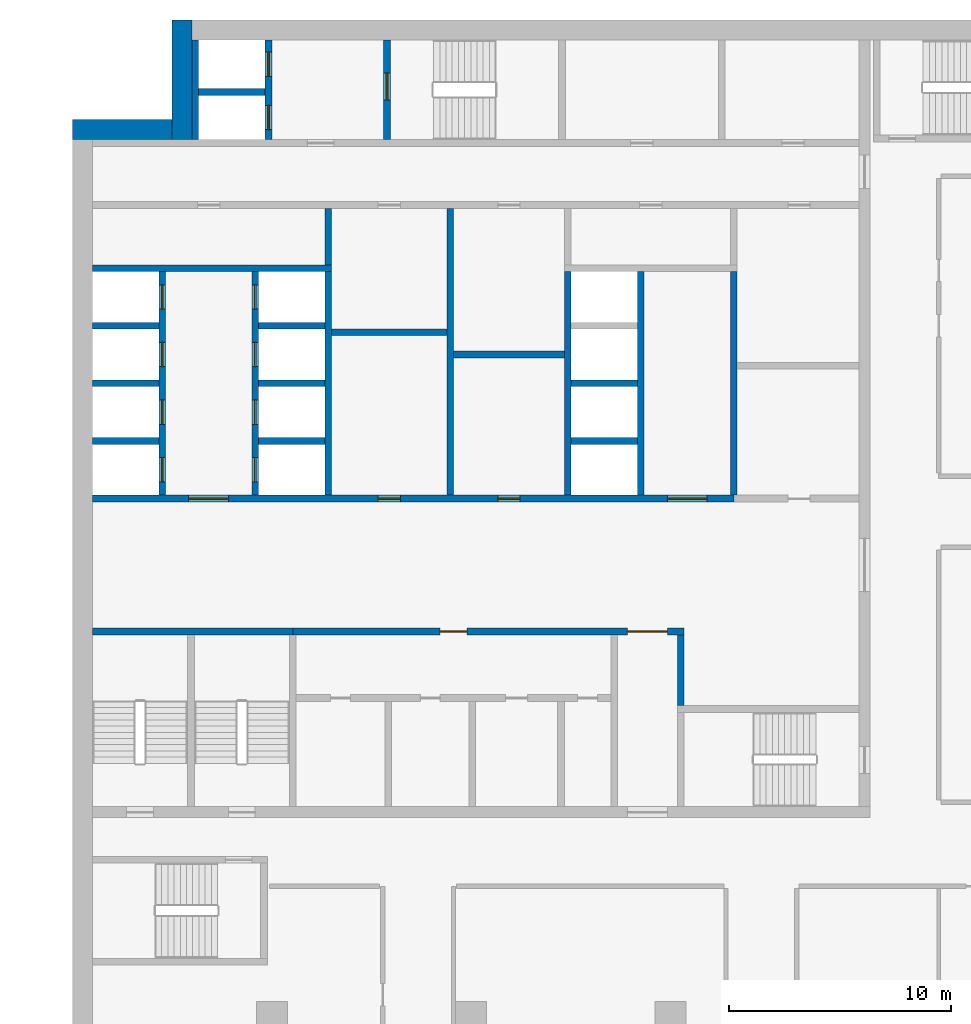
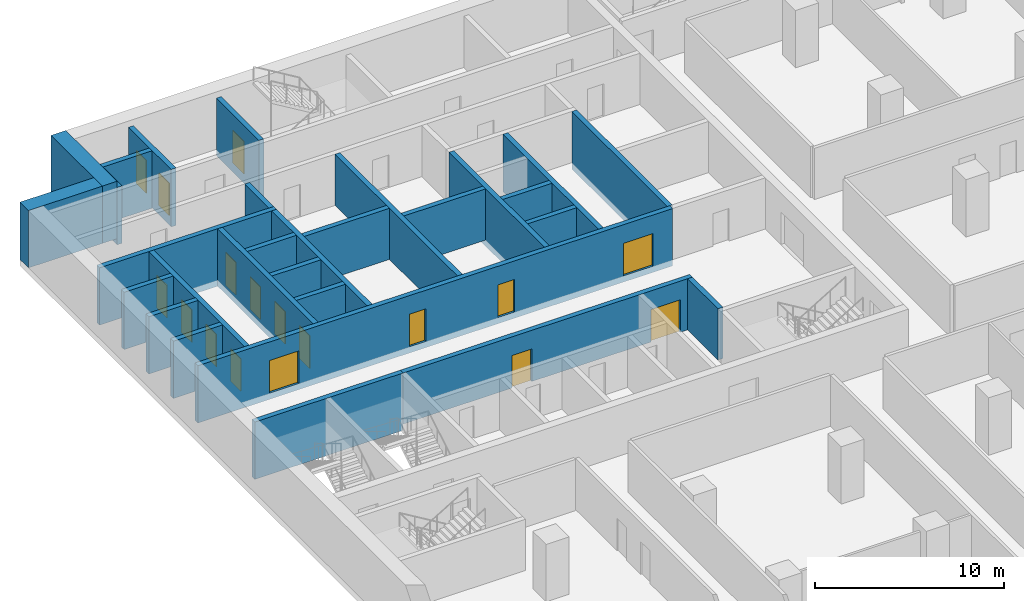
# One storey, part 15 of 29: 29 walls, 17 doors, 17 openings.
"""IFC4 building model written with IfcOpenShell, lengths in metres."""

from ifc_helpers import new_model, si_unit, direction, frame, frame_2d, origin, place, context, subcontext, project, spatial, rectangle, extrude, material, layer, layer_set, type_object, element, fill, save


model = new_model("IFC4")

# Units and contexts
model_context = context("Model", 3, precision=1e-05, world=origin(), true_north=direction((0.0, 1.0)))
body_context = subcontext(model_context, "Body", "Model", "MODEL_VIEW")
ifc_project = project(units=[si_unit("LENGTHUNIT", "METRE"), si_unit("AREAUNIT", "SQUARE_METRE"), si_unit("VOLUMEUNIT", "CUBIC_METRE"), si_unit("PLANEANGLEUNIT", "RADIAN"), si_unit("MASSUNIT", "GRAM", prefix="KILO")], contexts=[model_context])

# Site, building, storey
site_placement = place(None, origin())
site = spatial("IfcSite", under=ifc_project, at=site_placement, CompositionType="ELEMENT")
building_placement = place(site_placement, origin())
building = spatial("IfcBuilding", under=site, at=building_placement, Name="Hunhe Ridgeline Campus", CompositionType="ELEMENT")
storey_placement = place(building_placement, frame((0.0, 0.0, 69.10009765625)))
storey = spatial("IfcBuildingStorey", under=building, at=storey_placement, Name="L16", CompositionType="ELEMENT", Elevation=69.10009765625)

# Wall, openings, doors
ifc_material_1 = material(Name="Masonry concrete blockwork", Category="masonry")
ifc_layer_1 = layer(ifc_material_1, 0.300048828125)
ifc_layer_set_1 = layer_set([ifc_layer_1], Name="Core room partition 300 concrete block")
wall_type_1 = type_object("IfcWallType", Name="Core room partition 300 concrete block", PredefinedType="PARTITIONING", material=ifc_layer_set_1)
wall_1_placement = place(storey_placement, frame((9.949951171875, 71.39990234375, 0.0), z_axis=(0.0, 0.0, 1.0), x_axis=(1.0, 0.0, 0.0)))
wall_1 = element("IfcWall", 1, at=wall_1_placement, inside=storey, type_object=wall_type_1, Name="L16 core partition 13", PredefinedType="PARTITIONING", context=body_context, shape_type="SweptSolid", body=[
    extrude(rectangle(XDim=17.650146484375, YDim=0.300048828125, at=frame_2d((8.8251953125, 0.0))), origin(), (0.0, 0.0, 1.0), 3.2998046875),
])
opening_1_placement = place(wall_1_placement, frame((15.10009765625, 0.0, 0.0)))
opening_1 = element("IfcOpeningElement", 2, at=opening_1_placement, cuts=wall_1, Name="Opening CD7", PredefinedType="OPENING", context=body_context, shape_type="SweptSolid", body=[
    extrude(rectangle(XDim=1.800048828125, YDim=2.10009765625, at=frame_2d((0.89990234375, 1.050048828125))), frame((0.0, 0.14990234375, 0.0), z_axis=(0.0, -1.0, 0.0), x_axis=(1.0, 0.0, 0.0)), (0.0, 0.0, 1.0), 0.300048828125),
])
opening_2_placement = place(wall_1_placement, frame((6.64990234375, 0.0, 0.0)))
opening_2 = element("IfcOpeningElement", 3, at=opening_2_placement, cuts=wall_1, Name="Opening CD37", PredefinedType="OPENING", context=body_context, shape_type="SweptSolid", body=[
    extrude(rectangle(XDim=1.199951171875, YDim=2.10009765625, at=frame_2d((0.60009765625, 1.050048828125))), frame((0.0, 0.14990234375, 0.0), z_axis=(0.0, -1.0, 0.0), x_axis=(1.0, 0.0, 0.0)), (0.0, 0.0, 1.0), 0.300048828125),
])
ifc_material_2 = material(Name="Anodised aluminium and glass", Category="aluminium")
door_type_1 = type_object("IfcDoorType", Name="Glazed double door 1800x2100", OperationType="DOUBLE_DOOR_SINGLE_SWING", PredefinedType="DOOR", material=ifc_material_2)
door_1_placement = place(opening_1_placement, origin())
door_1 = element("IfcDoor", 4, at=door_1_placement, inside=storey, type_object=door_type_1, Name="L16 door VEST-HALL", OperationType="DOUBLE_DOOR_SINGLE_SWING", OverallHeight=2.10009765625, OverallWidth=1.800048828125, PredefinedType="DOOR", context=body_context, shape_type="SweptSolid", body=[
    extrude(rectangle(XDim=1.800048828125, YDim=2.10009765625, at=frame_2d((0.89990234375, 1.050048828125))), frame((0.0, 0.02490234375, 0.0), z_axis=(0.0, -1.0, 0.0), x_axis=(1.0, 0.0, 0.0)), (0.0, 0.0, 1.0), 0.050048828125),
])
fill(opening_1, door_1)
ifc_material_3 = material(Name="Solid core timber door leaf", Category="wood")
door_type_2 = type_object("IfcDoorType", Name="Timber door 1200x2100", OperationType="SINGLE_SWING_LEFT", PredefinedType="DOOR", material=ifc_material_3)
door_2_placement = place(opening_2_placement, origin())
door_2 = element("IfcDoor", 5, at=door_2_placement, inside=storey, type_object=door_type_2, Name="L16 door WCL1-HALL", OperationType="SINGLE_SWING_LEFT", OverallHeight=2.10009765625, OverallWidth=1.199951171875, PredefinedType="DOOR", context=body_context, shape_type="SweptSolid", body=[
    extrude(rectangle(XDim=1.199951171875, YDim=2.10009765625, at=frame_2d((0.60009765625, 1.050048828125))), frame((0.0, 0.02490234375, 0.0), z_axis=(0.0, -1.0, 0.0), x_axis=(1.0, 0.0, 0.0)), (0.0, 0.0, 1.0), 0.050048828125),
])
fill(opening_2, door_2)

# Walls
wall_2_placement = place(storey_placement, frame((17.199951171875, 83.89990234375, 0.0), z_axis=(0.0, 0.0, 1.0), x_axis=(1.0, 0.0, 0.0)))
element("IfcWall", 6, at=wall_2_placement, inside=storey, type_object=wall_type_1, Name="L16 core partition 23", PredefinedType="PARTITIONING", context=body_context, shape_type="SweptSolid", body=[
    extrude(rectangle(XDim=5.0, YDim=0.300048828125, at=frame_2d((2.5, 0.0))), origin(), (0.0, 0.0, 1.0), 3.2998046875),
])
wall_3_placement = place(storey_placement, frame((11.699951171875, 84.89990234375, 0.0), z_axis=(0.0, 0.0, 1.0), x_axis=(1.0, 0.0, 0.0)))
element("IfcWall", 7, at=wall_3_placement, inside=storey, type_object=wall_type_1, Name="L16 core partition 24", PredefinedType="PARTITIONING", context=body_context, shape_type="SweptSolid", body=[
    extrude(rectangle(XDim=5.199951171875, YDim=0.300048828125, at=frame_2d((2.60009765625, 0.0))), origin(), (0.0, 0.0, 1.0), 3.2998046875),
])
wall_4_placement = place(storey_placement, frame((11.550048828125, 87.949951171875, 0.0), z_axis=(0.0, 0.0, 1.0), x_axis=(0.0, 1.0, 0.0)))
element("IfcWall", 8, at=wall_4_placement, inside=storey, type_object=wall_type_1, Name="L16 core partition 46", PredefinedType="PARTITIONING", context=body_context, shape_type="SweptSolid", body=[
    extrude(rectangle(XDim=2.550048828125, YDim=0.300048828125, at=frame_2d((1.27490234375, 0.0))), origin(), (0.0, 0.0, 1.0), 3.2998046875),
])
wall_5_placement = place(storey_placement, frame((17.050048828125, 77.550048828125, 0.0), z_axis=(0.0, 0.0, 1.0), x_axis=(0.0, 1.0, 0.0)))
element("IfcWall", 9, at=wall_5_placement, inside=storey, type_object=wall_type_1, Name="L16 core partition 49", PredefinedType="PARTITIONING", context=body_context, shape_type="SweptSolid", body=[
    extrude(rectangle(XDim=12.949951171875, YDim=0.300048828125, at=frame_2d((6.47509765625, 0.0))), origin(), (0.0, 0.0, 1.0), 3.2998046875),
])
wall_6_placement = place(storey_placement, frame((27.449951171875, 68.050048828125, 0.0), z_axis=(0.0, 0.0, 1.0), x_axis=(0.0, 1.0, 0.0)))
element("IfcWall", 10, at=wall_6_placement, inside=storey, type_object=wall_type_1, Name="L16 core partition 60", PredefinedType="PARTITIONING", context=body_context, shape_type="SweptSolid", body=[
    extrude(rectangle(XDim=3.199951171875, YDim=0.300048828125, at=frame_2d((1.60009765625, 0.0))), origin(), (0.0, 0.0, 1.0), 3.2998046875),
])
ifc_material_4 = material(Name="Concrete C80", Category="concrete")
ifc_layer_2 = layer(ifc_material_4, 0.300048828125)
ifc_layer_set_2 = layer_set([ifc_layer_2], Name="Lobby wall 300 reinforced concrete C80")
wall_type_2 = type_object("IfcWallType", Name="Lobby wall 300 reinforced concrete C80", PredefinedType="SOLIDWALL", material=ifc_layer_set_2)
wall_7_placement = place(storey_placement, frame((29.85009765625, 77.550048828125, -0.400146484375), z_axis=(0.0, 0.0, 1.0), x_axis=(0.0, 1.0, 0.0)))
element("IfcWall", 11, at=wall_7_placement, inside=storey, type_object=wall_type_2, Name="L16 core wall 62", PredefinedType="SOLIDWALL", context=body_context, shape_type="SweptSolid", body=[
    extrude(rectangle(XDim=10.099853515625, YDim=0.300048828125, at=frame_2d((5.0498046875, 0.0))), origin(), (0.0, 0.0, 1.0), 3.699951171875),
])

# Wall, openings, doors
ifc_layer_3 = layer(ifc_material_4, 0.300048828125)
ifc_layer_set_3 = layer_set([ifc_layer_3], Name="Shaft wall 300 reinforced concrete C80")
wall_type_3 = type_object("IfcWallType", Name="Shaft wall 300 reinforced concrete C80", PredefinedType="SOLIDWALL", material=ifc_layer_set_3)
wall_8_placement = place(storey_placement, frame((0.89990234375, 77.39990234375, -0.400146484375), z_axis=(0.0, 0.0, 1.0), x_axis=(1.0, 0.0, 0.0)))
wall_8 = element("IfcWall", 12, at=wall_8_placement, inside=storey, type_object=wall_type_3, Name="L16 core wall 14", PredefinedType="SOLIDWALL", context=body_context, shape_type="SweptSolid", body=[
    extrude(rectangle(XDim=28.9501953125, YDim=0.300048828125, at=frame_2d((14.47509765625, 0.0))), origin(), (0.0, 0.0, 1.0), 3.699951171875),
])
opening_3_placement = place(wall_8_placement, frame((4.35009765625, 0.0, 0.39990234375)))
opening_3 = element("IfcOpeningElement", 13, at=opening_3_placement, cuts=wall_8, Name="Opening CD1", PredefinedType="OPENING", context=body_context, shape_type="SweptSolid", body=[
    extrude(rectangle(XDim=1.800048828125, YDim=2.10009765625, at=frame_2d((0.89990234375, 1.050048828125))), frame((0.0, 0.14990234375, 0.0), z_axis=(0.0, -1.0, 0.0), x_axis=(1.0, 0.0, 0.0)), (0.0, 0.0, 1.0), 0.300048828125),
])
opening_4_placement = place(wall_8_placement, frame((25.949951171875, 0.0, 0.39990234375)))
opening_4 = element("IfcOpeningElement", 14, at=opening_4_placement, cuts=wall_8, Name="Opening CD2", PredefinedType="OPENING", context=body_context, shape_type="SweptSolid", body=[
    extrude(rectangle(XDim=1.800048828125, YDim=2.10009765625, at=frame_2d((0.89990234375, 1.050048828125))), frame((0.0, 0.14990234375, 0.0), z_axis=(0.0, -1.0, 0.0), x_axis=(1.0, 0.0, 0.0)), (0.0, 0.0, 1.0), 0.300048828125),
])
opening_5_placement = place(wall_8_placement, frame((12.89990234375, 0.0, 0.39990234375)))
opening_5 = element("IfcOpeningElement", 15, at=opening_5_placement, cuts=wall_8, Name="Opening CD28", PredefinedType="OPENING", context=body_context, shape_type="SweptSolid", body=[
    extrude(rectangle(XDim=1.0, YDim=2.10009765625, at=frame_2d((0.5, 1.050048828125))), frame((0.0, 0.14990234375, 0.0), z_axis=(0.0, -1.0, 0.0), x_axis=(1.0, 0.0, 0.0)), (0.0, 0.0, 1.0), 0.300048828125),
])
opening_6_placement = place(wall_8_placement, frame((18.300048828125, 0.0, 0.39990234375)))
opening_6 = element("IfcOpeningElement", 16, at=opening_6_placement, cuts=wall_8, Name="Opening CD30", PredefinedType="OPENING", context=body_context, shape_type="SweptSolid", body=[
    extrude(rectangle(XDim=1.0, YDim=2.10009765625, at=frame_2d((0.5, 1.050048828125))), frame((0.0, 0.14990234375, 0.0), z_axis=(0.0, -1.0, 0.0), x_axis=(1.0, 0.0, 0.0)), (0.0, 0.0, 1.0), 0.300048828125),
])
ifc_material_5 = material(Name="Hollow metal fire door leaf")
door_type_3 = type_object("IfcDoorType", Name="Lobby door 1800x2100 FD60", OperationType="SINGLE_SWING_LEFT", PredefinedType="DOOR", material=ifc_material_5)
door_3_placement = place(opening_3_placement, frame((1.800048828125, 0.0, 0.0), z_axis=(0.0, 0.0, 1.0), x_axis=(-1.0, 0.0, 0.0)))
door_3 = element("IfcDoor", 17, at=door_3_placement, inside=storey, type_object=door_type_3, Name="L16 door LOB-LR", OperationType="SINGLE_SWING_RIGHT", OverallHeight=2.10009765625, OverallWidth=1.800048828125, PredefinedType="DOOR", context=body_context, shape_type="SweptSolid", body=[
    extrude(rectangle(XDim=1.800048828125, YDim=2.10009765625, at=frame_2d((0.89990234375, 1.050048828125))), frame((0.0, 0.02490234375, 0.0), z_axis=(0.0, -1.0, 0.0), x_axis=(1.0, 0.0, 0.0)), (0.0, 0.0, 1.0), 0.050048828125),
])
fill(opening_3, door_3)
door_4_placement = place(opening_4_placement, frame((1.800048828125, 0.0, 0.0), z_axis=(0.0, 0.0, 1.0), x_axis=(-1.0, 0.0, 0.0)))
door_4 = element("IfcDoor", 18, at=door_4_placement, inside=storey, type_object=door_type_3, Name="L16 door LOB-SH", OperationType="SINGLE_SWING_LEFT", OverallHeight=2.10009765625, OverallWidth=1.800048828125, PredefinedType="DOOR", context=body_context, shape_type="SweptSolid", body=[
    extrude(rectangle(XDim=1.800048828125, YDim=2.10009765625, at=frame_2d((0.89990234375, 1.050048828125))), frame((0.0, 0.02490234375, 0.0), z_axis=(0.0, -1.0, 0.0), x_axis=(1.0, 0.0, 0.0)), (0.0, 0.0, 1.0), 0.050048828125),
])
fill(opening_4, door_4)
door_type_4 = type_object("IfcDoorType", Name="Timber door 1000x2100", OperationType="SINGLE_SWING_LEFT", PredefinedType="DOOR", material=ifc_material_3)
door_5_placement = place(opening_5_placement, origin())
door_5 = element("IfcDoor", 19, at=door_5_placement, inside=storey, type_object=door_type_4, Name="L16 door VD-HR0", OperationType="SINGLE_SWING_LEFT", OverallHeight=2.10009765625, OverallWidth=1.0, PredefinedType="DOOR", context=body_context, shape_type="SweptSolid", body=[
    extrude(rectangle(XDim=1.0, YDim=2.10009765625, at=frame_2d((0.5, 1.050048828125))), frame((0.0, 0.02490234375, 0.0), z_axis=(0.0, -1.0, 0.0), x_axis=(1.0, 0.0, 0.0)), (0.0, 0.0, 1.0), 0.050048828125),
])
fill(opening_5, door_5)
door_6_placement = place(opening_6_placement, origin())
door_6 = element("IfcDoor", 20, at=door_6_placement, inside=storey, type_object=door_type_4, Name="L16 door VD-HR2", OperationType="SINGLE_SWING_LEFT", OverallHeight=2.10009765625, OverallWidth=1.0, PredefinedType="DOOR", context=body_context, shape_type="SweptSolid", body=[
    extrude(rectangle(XDim=1.0, YDim=2.10009765625, at=frame_2d((0.5, 1.050048828125))), frame((0.0, 0.02490234375, 0.0), z_axis=(0.0, -1.0, 0.0), x_axis=(1.0, 0.0, 0.0)), (0.0, 0.0, 1.0), 0.050048828125),
])
fill(opening_6, door_6)

# Walls
for number, where, z_axis, x_axis, name in (
    (21, (0.89990234375, 80.0, -0.400146484375), (0.0, 0.0, 1.0), (1.0, 0.0, 0.0), "L16 core wall 16"),
    (22, (8.39990234375, 80.0, -0.400146484375), (0.0, 0.0, 1.0), (1.0, 0.0, 0.0), "L16 core wall 17"),
    (23, (22.5, 80.0, -0.400146484375), (0.0, 0.0, 1.0), (1.0, 0.0, 0.0), "L16 core wall 18"),
    (24, (0.89990234375, 82.60009765625, -0.400146484375), (0.0, 0.0, 1.0), (1.0, 0.0, 0.0), "L16 core wall 19"),
    (25, (8.39990234375, 82.60009765625, -0.400146484375), (0.0, 0.0, 1.0), (1.0, 0.0, 0.0), "L16 core wall 20"),
    (26, (22.5, 82.60009765625, -0.400146484375), (0.0, 0.0, 1.0), (1.0, 0.0, 0.0), "L16 core wall 21"),
    (27, (0.89990234375, 85.199951171875, -0.400146484375), (0.0, 0.0, 1.0), (1.0, 0.0, 0.0), "L16 core wall 25"),
    (28, (8.39990234375, 85.199951171875, -0.400146484375), (0.0, 0.0, 1.0), (1.0, 0.0, 0.0), "L16 core wall 26"),
):
    element("IfcWall", number, at=place(storey_placement, frame(where, z_axis=z_axis, x_axis=x_axis)), inside=storey, type_object=wall_type_3, Name=name, PredefinedType="SOLIDWALL", context=body_context, shape_type="SweptSolid", body=[
        extrude(rectangle(XDim=3.0, YDim=0.300048828125, at=frame_2d((1.5, 0.0))), origin(), (0.0, 0.0, 1.0), 3.699951171875),
    ])
wall_9_placement = place(storey_placement, frame((0.89990234375, 87.800048828125, -0.400146484375), z_axis=(0.0, 0.0, 1.0), x_axis=(1.0, 0.0, 0.0)))
element("IfcWall", 29, at=wall_9_placement, inside=storey, type_object=wall_type_3, Name="L16 core wall 28", PredefinedType="SOLIDWALL", context=body_context, shape_type="SweptSolid", body=[
    extrude(rectangle(XDim=10.800048828125, YDim=0.300048828125, at=frame_2d((5.39990234375, 0.0))), origin(), (0.0, 0.0, 1.0), 3.699951171875),
])
wall_10_placement = place(storey_placement, frame((5.699951171875, 95.75, -0.400146484375), z_axis=(0.0, 0.0, 1.0), x_axis=(1.0, 0.0, 0.0)))
element("IfcWall", 30, at=wall_10_placement, inside=storey, type_object=wall_type_3, Name="L16 core wall 36", PredefinedType="SOLIDWALL", context=body_context, shape_type="SweptSolid", body=[
    extrude(rectangle(XDim=3.0, YDim=0.300048828125, at=frame_2d((1.5, 0.0))), origin(), (0.0, 0.0, 1.0), 3.699951171875),
])

# Wall, openings, doors
wall_11_placement = place(storey_placement, frame((4.050048828125, 77.550048828125, -0.400146484375), z_axis=(0.0, 0.0, 1.0), x_axis=(0.0, 1.0, 0.0)))
wall_11 = element("IfcWall", 31, at=wall_11_placement, inside=storey, type_object=wall_type_3, Name="L16 core wall 37", PredefinedType="SOLIDWALL", context=body_context, shape_type="SweptSolid", body=[
    extrude(rectangle(XDim=10.099853515625, YDim=0.300048828125, at=frame_2d((5.0498046875, 0.0))), origin(), (0.0, 0.0, 1.0), 3.699951171875),
])
opening_7_placement = place(wall_11_placement, frame((0.60009765625, 0.0, 0.39990234375)))
opening_7 = element("IfcOpeningElement", 32, at=opening_7_placement, cuts=wall_11, Name="Opening LD-LR1", PredefinedType="OPENING", context=body_context, shape_type="SweptSolid", body=[
    extrude(rectangle(XDim=1.10009765625, YDim=2.10009765625, at=frame_2d((0.550048828125, 1.050048828125))), frame((0.0, 0.14990234375, 0.0), z_axis=(0.0, -1.0, 0.0), x_axis=(1.0, 0.0, 0.0)), (0.0, 0.0, 1.0), 0.300048828125),
])
opening_8_placement = place(wall_11_placement, frame((3.199951171875, 0.0, 0.39990234375)))
opening_8 = element("IfcOpeningElement", 33, at=opening_8_placement, cuts=wall_11, Name="Opening LD-LR2", PredefinedType="OPENING", context=body_context, shape_type="SweptSolid", body=[
    extrude(rectangle(XDim=1.10009765625, YDim=2.10009765625, at=frame_2d((0.550048828125, 1.050048828125))), frame((0.0, 0.14990234375, 0.0), z_axis=(0.0, -1.0, 0.0), x_axis=(1.0, 0.0, 0.0)), (0.0, 0.0, 1.0), 0.300048828125),
])
opening_9_placement = place(wall_11_placement, frame((5.800048828125, 0.0, 0.39990234375)))
opening_9 = element("IfcOpeningElement", 34, at=opening_9_placement, cuts=wall_11, Name="Opening LD-LR3", PredefinedType="OPENING", context=body_context, shape_type="SweptSolid", body=[
    extrude(rectangle(XDim=1.10009765625, YDim=2.10009765625, at=frame_2d((0.550048828125, 1.050048828125))), frame((0.0, 0.14990234375, 0.0), z_axis=(0.0, -1.0, 0.0), x_axis=(1.0, 0.0, 0.0)), (0.0, 0.0, 1.0), 0.300048828125),
])
opening_10_placement = place(wall_11_placement, frame((8.39990234375, 0.0, 0.39990234375)))
opening_10 = element("IfcOpeningElement", 35, at=opening_10_placement, cuts=wall_11, Name="Opening LD-LR4", PredefinedType="OPENING", context=body_context, shape_type="SweptSolid", body=[
    extrude(rectangle(XDim=1.10009765625, YDim=2.10009765625, at=frame_2d((0.550048828125, 1.050048828125))), frame((0.0, 0.14990234375, 0.0), z_axis=(0.0, -1.0, 0.0), x_axis=(1.0, 0.0, 0.0)), (0.0, 0.0, 1.0), 0.300048828125),
])
ifc_material_6 = material(Name="Stainless steel sliding leaves", Category="steel")
door_type_5 = type_object("IfcDoorType", Name="Landing door 1100x2100 FD120", OperationType="SLIDING_TO_LEFT", PredefinedType="DOOR", material=ifc_material_6)
door_7_placement = place(opening_7_placement, origin())
door_7 = element("IfcDoor", 36, at=door_7_placement, inside=storey, type_object=door_type_5, Name="L16 landing door LR1", OperationType="SLIDING_TO_RIGHT", OverallHeight=2.10009765625, OverallWidth=1.10009765625, PredefinedType="DOOR", context=body_context, shape_type="SweptSolid", body=[
    extrude(rectangle(XDim=1.10009765625, YDim=2.10009765625, at=frame_2d((0.550048828125, 1.050048828125))), frame((0.0, 0.02490234375, 0.0), z_axis=(0.0, -1.0, 0.0), x_axis=(1.0, 0.0, 0.0)), (0.0, 0.0, 1.0), 0.050048828125),
])
fill(opening_7, door_7)
door_8_placement = place(opening_8_placement, origin())
door_8 = element("IfcDoor", 37, at=door_8_placement, inside=storey, type_object=door_type_5, Name="L16 landing door LR2", OperationType="SLIDING_TO_LEFT", OverallHeight=2.10009765625, OverallWidth=1.10009765625, PredefinedType="DOOR", context=body_context, shape_type="SweptSolid", body=[
    extrude(rectangle(XDim=1.10009765625, YDim=2.10009765625, at=frame_2d((0.550048828125, 1.050048828125))), frame((0.0, 0.02490234375, 0.0), z_axis=(0.0, -1.0, 0.0), x_axis=(1.0, 0.0, 0.0)), (0.0, 0.0, 1.0), 0.050048828125),
])
fill(opening_8, door_8)
door_9_placement = place(opening_9_placement, origin())
door_9 = element("IfcDoor", 38, at=door_9_placement, inside=storey, type_object=door_type_5, Name="L16 landing door LR3", OperationType="SLIDING_TO_RIGHT", OverallHeight=2.10009765625, OverallWidth=1.10009765625, PredefinedType="DOOR", context=body_context, shape_type="SweptSolid", body=[
    extrude(rectangle(XDim=1.10009765625, YDim=2.10009765625, at=frame_2d((0.550048828125, 1.050048828125))), frame((0.0, 0.02490234375, 0.0), z_axis=(0.0, -1.0, 0.0), x_axis=(1.0, 0.0, 0.0)), (0.0, 0.0, 1.0), 0.050048828125),
])
fill(opening_9, door_9)
door_10_placement = place(opening_10_placement, origin())
door_10 = element("IfcDoor", 39, at=door_10_placement, inside=storey, type_object=door_type_5, Name="L16 landing door LR4", OperationType="SLIDING_TO_LEFT", OverallHeight=2.10009765625, OverallWidth=1.10009765625, PredefinedType="DOOR", context=body_context, shape_type="SweptSolid", body=[
    extrude(rectangle(XDim=1.10009765625, YDim=2.10009765625, at=frame_2d((0.550048828125, 1.050048828125))), frame((0.0, 0.02490234375, 0.0), z_axis=(0.0, -1.0, 0.0), x_axis=(1.0, 0.0, 0.0)), (0.0, 0.0, 1.0), 0.050048828125),
])
fill(opening_10, door_10)

# Wall
wall_12_placement = place(storey_placement, frame((5.550048828125, 93.60009765625, -0.400146484375), z_axis=(0.0, 0.0, 1.0), x_axis=(0.0, 1.0, 0.0)))
element("IfcWall", 40, at=wall_12_placement, inside=storey, type_object=wall_type_3, Name="L16 core wall 39", PredefinedType="SOLIDWALL", context=body_context, shape_type="SweptSolid", body=[
    extrude(rectangle(XDim=4.5, YDim=0.300048828125, at=frame_2d((2.25, 0.0))), origin(), (0.0, 0.0, 1.0), 3.699951171875),
])

# Wall, openings, doors
wall_13_placement = place(storey_placement, frame((8.25, 77.550048828125, -0.400146484375), z_axis=(0.0, 0.0, 1.0), x_axis=(0.0, 1.0, 0.0)))
wall_13 = element("IfcWall", 41, at=wall_13_placement, inside=storey, type_object=wall_type_3, Name="L16 core wall 40", PredefinedType="SOLIDWALL", context=body_context, shape_type="SweptSolid", body=[
    extrude(rectangle(XDim=10.099853515625, YDim=0.300048828125, at=frame_2d((5.0498046875, 0.0))), origin(), (0.0, 0.0, 1.0), 3.699951171875),
])
opening_11_placement = place(wall_13_placement, frame((0.60009765625, 0.0, 0.39990234375)))
opening_11 = element("IfcOpeningElement", 42, at=opening_11_placement, cuts=wall_13, Name="Opening LD-LR5", PredefinedType="OPENING", context=body_context, shape_type="SweptSolid", body=[
    extrude(rectangle(XDim=1.10009765625, YDim=2.10009765625, at=frame_2d((0.550048828125, 1.050048828125))), frame((0.0, 0.14990234375, 0.0), z_axis=(0.0, -1.0, 0.0), x_axis=(1.0, 0.0, 0.0)), (0.0, 0.0, 1.0), 0.300048828125),
])
opening_12_placement = place(wall_13_placement, frame((3.199951171875, 0.0, 0.39990234375)))
opening_12 = element("IfcOpeningElement", 43, at=opening_12_placement, cuts=wall_13, Name="Opening LD-LR6", PredefinedType="OPENING", context=body_context, shape_type="SweptSolid", body=[
    extrude(rectangle(XDim=1.10009765625, YDim=2.10009765625, at=frame_2d((0.550048828125, 1.050048828125))), frame((0.0, 0.14990234375, 0.0), z_axis=(0.0, -1.0, 0.0), x_axis=(1.0, 0.0, 0.0)), (0.0, 0.0, 1.0), 0.300048828125),
])
opening_13_placement = place(wall_13_placement, frame((5.800048828125, 0.0, 0.39990234375)))
opening_13 = element("IfcOpeningElement", 44, at=opening_13_placement, cuts=wall_13, Name="Opening LD-LR7", PredefinedType="OPENING", context=body_context, shape_type="SweptSolid", body=[
    extrude(rectangle(XDim=1.10009765625, YDim=2.10009765625, at=frame_2d((0.550048828125, 1.050048828125))), frame((0.0, 0.14990234375, 0.0), z_axis=(0.0, -1.0, 0.0), x_axis=(1.0, 0.0, 0.0)), (0.0, 0.0, 1.0), 0.300048828125),
])
opening_14_placement = place(wall_13_placement, frame((8.39990234375, 0.0, 0.39990234375)))
opening_14 = element("IfcOpeningElement", 45, at=opening_14_placement, cuts=wall_13, Name="Opening LD-LR8", PredefinedType="OPENING", context=body_context, shape_type="SweptSolid", body=[
    extrude(rectangle(XDim=1.10009765625, YDim=2.10009765625, at=frame_2d((0.550048828125, 1.050048828125))), frame((0.0, 0.14990234375, 0.0), z_axis=(0.0, -1.0, 0.0), x_axis=(1.0, 0.0, 0.0)), (0.0, 0.0, 1.0), 0.300048828125),
])
door_11_placement = place(opening_11_placement, origin())
door_11 = element("IfcDoor", 46, at=door_11_placement, inside=storey, type_object=door_type_5, Name="L16 landing door LR5", OperationType="SLIDING_TO_RIGHT", OverallHeight=2.10009765625, OverallWidth=1.10009765625, PredefinedType="DOOR", context=body_context, shape_type="SweptSolid", body=[
    extrude(rectangle(XDim=1.10009765625, YDim=2.10009765625, at=frame_2d((0.550048828125, 1.050048828125))), frame((0.0, 0.02490234375, 0.0), z_axis=(0.0, -1.0, 0.0), x_axis=(1.0, 0.0, 0.0)), (0.0, 0.0, 1.0), 0.050048828125),
])
fill(opening_11, door_11)
door_12_placement = place(opening_12_placement, origin())
door_12 = element("IfcDoor", 47, at=door_12_placement, inside=storey, type_object=door_type_5, Name="L16 landing door LR6", OperationType="SLIDING_TO_LEFT", OverallHeight=2.10009765625, OverallWidth=1.10009765625, PredefinedType="DOOR", context=body_context, shape_type="SweptSolid", body=[
    extrude(rectangle(XDim=1.10009765625, YDim=2.10009765625, at=frame_2d((0.550048828125, 1.050048828125))), frame((0.0, 0.02490234375, 0.0), z_axis=(0.0, -1.0, 0.0), x_axis=(1.0, 0.0, 0.0)), (0.0, 0.0, 1.0), 0.050048828125),
])
fill(opening_12, door_12)
door_13_placement = place(opening_13_placement, origin())
door_13 = element("IfcDoor", 48, at=door_13_placement, inside=storey, type_object=door_type_5, Name="L16 landing door LR7", OperationType="SLIDING_TO_RIGHT", OverallHeight=2.10009765625, OverallWidth=1.10009765625, PredefinedType="DOOR", context=body_context, shape_type="SweptSolid", body=[
    extrude(rectangle(XDim=1.10009765625, YDim=2.10009765625, at=frame_2d((0.550048828125, 1.050048828125))), frame((0.0, 0.02490234375, 0.0), z_axis=(0.0, -1.0, 0.0), x_axis=(1.0, 0.0, 0.0)), (0.0, 0.0, 1.0), 0.050048828125),
])
fill(opening_13, door_13)
door_14_placement = place(opening_14_placement, origin())
door_14 = element("IfcDoor", 49, at=door_14_placement, inside=storey, type_object=door_type_5, Name="L16 landing door LR8", OperationType="SLIDING_TO_LEFT", OverallHeight=2.10009765625, OverallWidth=1.10009765625, PredefinedType="DOOR", context=body_context, shape_type="SweptSolid", body=[
    extrude(rectangle(XDim=1.10009765625, YDim=2.10009765625, at=frame_2d((0.550048828125, 1.050048828125))), frame((0.0, 0.02490234375, 0.0), z_axis=(0.0, -1.0, 0.0), x_axis=(1.0, 0.0, 0.0)), (0.0, 0.0, 1.0), 0.050048828125),
])
fill(opening_14, door_14)

wall_14_placement = place(storey_placement, frame((8.85009765625, 93.60009765625, -0.400146484375), z_axis=(0.0, 0.0, 1.0), x_axis=(0.0, 1.0, 0.0)))
wall_14 = element("IfcWall", 50, at=wall_14_placement, inside=storey, type_object=wall_type_3, Name="L16 core wall 43", PredefinedType="SOLIDWALL", context=body_context, shape_type="SweptSolid", body=[
    extrude(rectangle(XDim=4.5, YDim=0.300048828125, at=frame_2d((2.25, 0.0))), origin(), (0.0, 0.0, 1.0), 3.699951171875),
])
opening_15_placement = place(wall_14_placement, frame((0.449951171875, 0.0, 0.39990234375)))
opening_15 = element("IfcOpeningElement", 51, at=opening_15_placement, cuts=wall_14, Name="Opening LD-FF1", PredefinedType="OPENING", context=body_context, shape_type="SweptSolid", body=[
    extrude(rectangle(XDim=1.10009765625, YDim=2.10009765625, at=frame_2d((0.550048828125, 1.050048828125))), frame((0.0, 0.14990234375, 0.0), z_axis=(0.0, -1.0, 0.0), x_axis=(1.0, 0.0, 0.0)), (0.0, 0.0, 1.0), 0.300048828125),
])
opening_16_placement = place(wall_14_placement, frame((2.85009765625, 0.0, 0.39990234375)))
opening_16 = element("IfcOpeningElement", 52, at=opening_16_placement, cuts=wall_14, Name="Opening LD-FF2", PredefinedType="OPENING", context=body_context, shape_type="SweptSolid", body=[
    extrude(rectangle(XDim=1.10009765625, YDim=2.10009765625, at=frame_2d((0.550048828125, 1.050048828125))), frame((0.0, 0.14990234375, 0.0), z_axis=(0.0, -1.0, 0.0), x_axis=(1.0, 0.0, 0.0)), (0.0, 0.0, 1.0), 0.300048828125),
])
door_15_placement = place(opening_15_placement, origin())
door_15 = element("IfcDoor", 53, at=door_15_placement, inside=storey, type_object=door_type_5, Name="L16 landing door FF1", OperationType="SLIDING_TO_RIGHT", OverallHeight=2.10009765625, OverallWidth=1.10009765625, PredefinedType="DOOR", context=body_context, shape_type="SweptSolid", body=[
    extrude(rectangle(XDim=1.10009765625, YDim=2.10009765625, at=frame_2d((0.550048828125, 1.050048828125))), frame((0.0, 0.02490234375, 0.0), z_axis=(0.0, -1.0, 0.0), x_axis=(1.0, 0.0, 0.0)), (0.0, 0.0, 1.0), 0.050048828125),
])
fill(opening_15, door_15)
door_16_placement = place(opening_16_placement, origin())
door_16 = element("IfcDoor", 54, at=door_16_placement, inside=storey, type_object=door_type_5, Name="L16 landing door FF2", OperationType="SLIDING_TO_LEFT", OverallHeight=2.10009765625, OverallWidth=1.10009765625, PredefinedType="DOOR", context=body_context, shape_type="SweptSolid", body=[
    extrude(rectangle(XDim=1.10009765625, YDim=2.10009765625, at=frame_2d((0.550048828125, 1.050048828125))), frame((0.0, 0.02490234375, 0.0), z_axis=(0.0, -1.0, 0.0), x_axis=(1.0, 0.0, 0.0)), (0.0, 0.0, 1.0), 0.050048828125),
])
fill(opening_16, door_16)

# Walls
for number, where, z_axis, x_axis, name in (
    (55, (11.550048828125, 77.550048828125, -0.400146484375), (0.0, 0.0, 1.0), (0.0, 1.0, 0.0), "L16 core wall 45"),
    (56, (22.35009765625, 77.550048828125, -0.400146484375), (0.0, 0.0, 1.0), (0.0, 1.0, 0.0), "L16 core wall 54"),
    (57, (25.64990234375, 77.550048828125, -0.400146484375), (0.0, 0.0, 1.0), (0.0, 1.0, 0.0), "L16 core wall 58"),
):
    element("IfcWall", number, at=place(storey_placement, frame(where, z_axis=z_axis, x_axis=x_axis)), inside=storey, type_object=wall_type_3, Name=name, PredefinedType="SOLIDWALL", context=body_context, shape_type="SweptSolid", body=[
        extrude(rectangle(XDim=10.099853515625, YDim=0.300048828125, at=frame_2d((5.0498046875, 0.0))), origin(), (0.0, 0.0, 1.0), 3.699951171875),
    ])
ifc_layer_4 = layer(ifc_material_4, 0.89990234375)
ifc_layer_set_4 = layer_set([ifc_layer_4], Name="Spine wall 900 Concrete C80")
wall_type_4 = type_object("IfcWallType", Name="Spine wall 900 Concrete C80", PredefinedType="SHEAR", material=ifc_layer_set_4)
for number, where, z_axis, x_axis, name in (
    (58, (4.949951171875, 99.0, 0.0), (0.0, 0.0, 1.0), (0.0, -1.0, 0.0), "Spine wall SW1-5 L16"),
    (59, (5.400146484375, 94.050048828125, 0.0), (0.0, 0.0, 1.0), (-1.0, 0.0, 0.0), "Spine wall SW1-6 L16"),
):
    element("IfcWall", number, at=place(storey_placement, frame(where, z_axis=z_axis, x_axis=x_axis)), inside=storey, type_object=wall_type_4, Name=name, PredefinedType="SHEAR", context=body_context, shape_type="SweptSolid", body=[
        extrude(rectangle(XDim=5.400146484375, YDim=0.89990234375, at=frame_2d((2.7001953125, 0.0))), origin(), (0.0, 0.0, 1.0), 3.699951171875),
    ])
ifc_layer_5 = layer(ifc_material_4, 0.300048828125)
ifc_layer_set_5 = layer_set([ifc_layer_5], Name="Stair wall 300 reinforced concrete C80")
wall_type_5 = type_object("IfcWallType", Name="Stair wall 300 reinforced concrete C80", PredefinedType="SOLIDWALL", material=ifc_layer_set_5)
wall_15_placement = place(storey_placement, frame((0.89990234375, 71.39990234375, -0.400146484375), z_axis=(0.0, 0.0, 1.0), x_axis=(1.0, 0.0, 0.0)))
element("IfcWall", 60, at=wall_15_placement, inside=storey, type_object=wall_type_5, Name="L16 core wall 12", PredefinedType="SOLIDWALL", context=body_context, shape_type="SweptSolid", body=[
    extrude(rectangle(XDim=9.050048828125, YDim=0.300048828125, at=frame_2d((4.52490234375, 0.0))), origin(), (0.0, 0.0, 1.0), 3.699951171875),
])

# Wall, opening, door
wall_16_placement = place(storey_placement, frame((14.199951171875, 93.60009765625, -0.400146484375), z_axis=(0.0, 0.0, 1.0), x_axis=(0.0, 1.0, 0.0)))
wall_16 = element("IfcWall", 61, at=wall_16_placement, inside=storey, type_object=wall_type_5, Name="L16 core wall 47", PredefinedType="SOLIDWALL", context=body_context, shape_type="SweptSolid", body=[
    extrude(rectangle(XDim=4.5, YDim=0.300048828125, at=frame_2d((2.25, 0.0))), origin(), (0.0, 0.0, 1.0), 3.699951171875),
])
opening_17_placement = place(wall_16_placement, frame((1.800048828125, 0.0, 0.39990234375)))
opening_17 = element("IfcOpeningElement", 62, at=opening_17_placement, cuts=wall_16, Name="Opening CD16", PredefinedType="OPENING", context=body_context, shape_type="SweptSolid", body=[
    extrude(rectangle(XDim=1.199951171875, YDim=2.10009765625, at=frame_2d((0.60009765625, 1.050048828125))), frame((0.0, 0.14990234375, 0.0), z_axis=(0.0, -1.0, 0.0), x_axis=(1.0, 0.0, 0.0)), (0.0, 0.0, 1.0), 0.300048828125),
])
door_type_6 = type_object("IfcDoorType", Name="Stair door 1200x2100 FD60", OperationType="SINGLE_SWING_LEFT", PredefinedType="DOOR", material=ifc_material_5)
door_17_placement = place(opening_17_placement, origin())
door_17 = element("IfcDoor", 63, at=door_17_placement, inside=storey, type_object=door_type_6, Name="L16 door S1-FF", OperationType="SINGLE_SWING_LEFT", OverallHeight=2.10009765625, OverallWidth=1.199951171875, PredefinedType="DOOR", context=body_context, shape_type="SweptSolid", body=[
    extrude(rectangle(XDim=1.199951171875, YDim=2.10009765625, at=frame_2d((0.60009765625, 1.050048828125))), frame((0.0, 0.02490234375, 0.0), z_axis=(0.0, -1.0, 0.0), x_axis=(1.0, 0.0, 0.0)), (0.0, 0.0, 1.0), 0.050048828125),
])
fill(opening_17, door_17)

save(model, "model.ifc")
